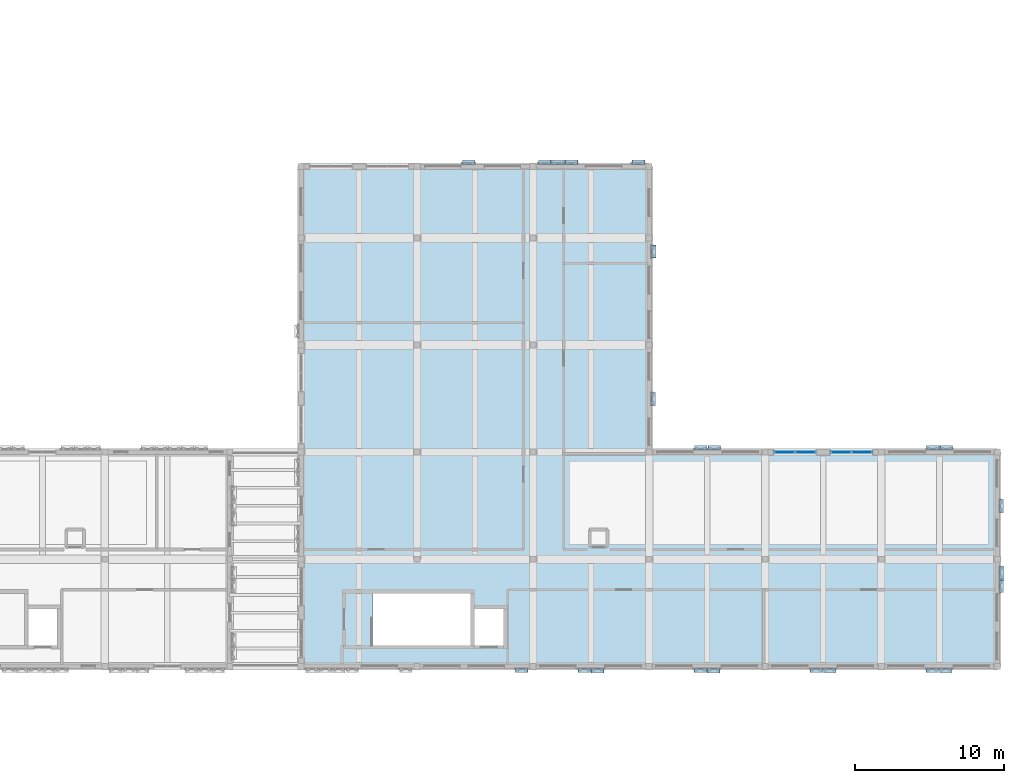
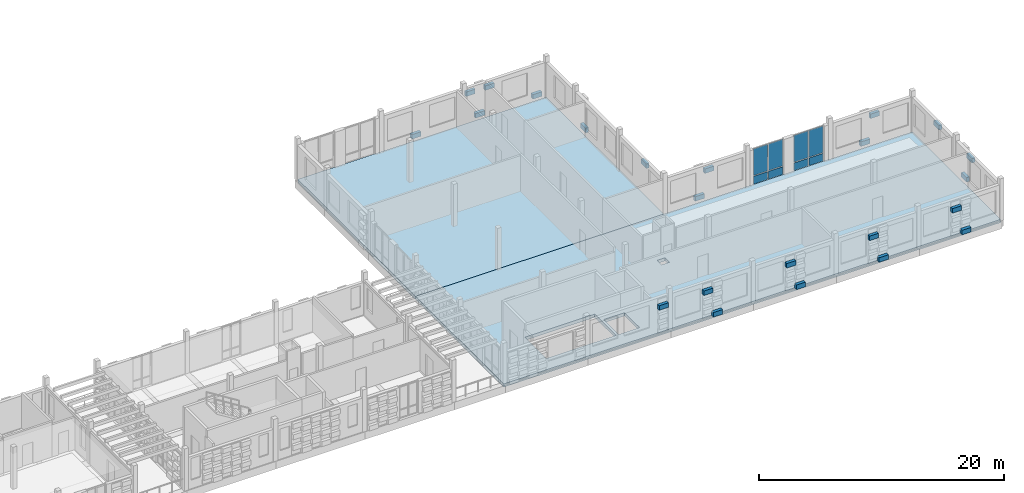
# One storey, part 54 of 99: 31 plates, 2 slabs, 2 elements without a shape of their own.
"""IFC4 building model written with IfcOpenShell, lengths in metres."""

from ifc_helpers import new_model, si_unit, direction, frame, origin, origin_2d, place, context, subcontext, project, spatial, polyline, rectangle, outline, extrude, material, layer, layer_set, type_object, element, aggregate, save


model = new_model("IFC4")

# Units and contexts
model_context = context("Model", 3, precision=1e-05, world=origin(), true_north=direction((0.0, 1.0)))
body_context = subcontext(model_context, "Body", "Model", "MODEL_VIEW")
ifc_project = project(units=[si_unit("LENGTHUNIT", "METRE"), si_unit("AREAUNIT", "SQUARE_METRE"), si_unit("VOLUMEUNIT", "CUBIC_METRE"), si_unit("PLANEANGLEUNIT", "RADIAN"), si_unit("MASSUNIT", "GRAM", prefix="KILO")], contexts=[model_context])

# Site, building, storey
site_placement = place(None, origin())
site = spatial("IfcSite", under=ifc_project, at=site_placement, CompositionType="ELEMENT")
building_placement = place(site_placement, origin())
building = spatial("IfcBuilding", under=site, at=building_placement, Name="Kahlenmark Community Centre", CompositionType="ELEMENT")
storey_placement = place(building_placement, frame((0.0, 0.0, 5.39990234375)))
storey = spatial("IfcBuildingStorey", under=building, at=storey_placement, Name="L01", CompositionType="ELEMENT", Elevation=5.39990234375)

# Curtain wall, plates
ifc_material_1 = material(Name="Anodised aluminium unitised curtain wall", Category="aluminium")
curtain_wall_type = type_object("IfcCurtainWallType", Name="CWT-UNIT-284X359", PredefinedType="USERDEFINED", material=ifc_material_1)
curtain_wall_1_placement = place(storey_placement, origin())
curtain_wall_1 = element("IfcCurtainWall", 1, at=curtain_wall_1_placement, inside=storey, type_object=curtain_wall_type, Name="Unitised curtain wall CW-050", ObjectType="UNITISED CURTAIN WALL", PredefinedType="USERDEFINED")
ifc_material_2 = material(Name="Triple low-e solar-control glass unit", Category="glass")
ifc_layer_1 = layer(ifc_material_2, 0.0439453125)
ifc_layer_set_1 = layer_set([ifc_layer_1], Name="Triple low-e solar-control glass unit")
plate_type_1 = type_object("IfcPlateType", Name="PLT-CW-GLZ-1340X2660", PredefinedType="CURTAIN_PANEL", material=ifc_layer_set_1)
plate_1_placement = place(storey_placement, frame((159.31005859375, 23.199951171875, 0.89013671875), z_axis=(0.0, 0.0, 1.0), x_axis=(-1.0, 0.0, 0.0)))
plate_1 = element("IfcPlate", 2, at=plate_1_placement, type_object=plate_type_1, Name="CW-050 glazed panel 1", PredefinedType="CURTAIN_PANEL", context=body_context, shape_type="SweptSolid", body=[
    extrude(rectangle(XDim=1.340087890625, YDim=0.0439453125, at=origin_2d()), origin(), (0.0, 0.0, 1.0), 2.659912109375),
])
plate_2_placement = place(storey_placement, frame((157.889892578125, 23.199951171875, 0.89013671875), z_axis=(0.0, 0.0, 1.0), x_axis=(-1.0, 0.0, 0.0)))
plate_2 = element("IfcPlate", 3, at=plate_2_placement, type_object=plate_type_1, Name="CW-050 glazed panel 2", PredefinedType="CURTAIN_PANEL", context=body_context, shape_type="SweptSolid", body=[
    extrude(rectangle(XDim=1.340087890625, YDim=0.0439453125, at=origin_2d()), origin(), (0.0, 0.0, 1.0), 2.659912109375),
])

curtain_wall_2_placement = place(storey_placement, origin())
curtain_wall_2 = element("IfcCurtainWall", 4, at=curtain_wall_2_placement, inside=storey, type_object=curtain_wall_type, Name="Unitised curtain wall CW-051", ObjectType="UNITISED CURTAIN WALL", PredefinedType="USERDEFINED")
plate_3_placement = place(storey_placement, frame((155.510009765625, 23.199951171875, 0.89013671875), z_axis=(0.0, 0.0, 1.0), x_axis=(-1.0, 0.0, 0.0)))
plate_3 = element("IfcPlate", 5, at=plate_3_placement, type_object=plate_type_1, Name="CW-051 glazed panel 1", PredefinedType="CURTAIN_PANEL", context=body_context, shape_type="SweptSolid", body=[
    extrude(rectangle(XDim=1.340087890625, YDim=0.0439453125, at=origin_2d()), origin(), (0.0, 0.0, 1.0), 2.659912109375),
])
plate_4_placement = place(storey_placement, frame((154.090087890625, 23.199951171875, 0.89013671875), z_axis=(0.0, 0.0, 1.0), x_axis=(-1.0, 0.0, 0.0)))
plate_4 = element("IfcPlate", 6, at=plate_4_placement, type_object=plate_type_1, Name="CW-051 glazed panel 2", PredefinedType="CURTAIN_PANEL", context=body_context, shape_type="SweptSolid", body=[
    extrude(rectangle(XDim=1.340087890625, YDim=0.0439453125, at=origin_2d()), origin(), (0.0, 0.0, 1.0), 2.659912109375),
])

# Plate
ifc_material_3 = material(Name="Warm terracotta insulated spandrel cassette", Category="masonry")
ifc_layer_2 = layer(ifc_material_3, 0.06005859375)
ifc_layer_set_2 = layer_set([ifc_layer_2], Name="Warm terracotta insulated spandrel cassette")
plate_type_2 = type_object("IfcPlateType", Name="PLT-CW-SPD-1340X770", PredefinedType="CURTAIN_PANEL", material=ifc_layer_set_2)
plate_5_placement = place(storey_placement, frame((159.31005859375, 23.199951171875, 0.0400390625), z_axis=(0.0, 0.0, 1.0), x_axis=(-1.0, 0.0, 0.0)))
plate_5 = element("IfcPlate", 7, at=plate_5_placement, type_object=plate_type_2, Name="CW-050 spandrel 1", PredefinedType="CURTAIN_PANEL", context=body_context, shape_type="SweptSolid", body=[
    extrude(rectangle(XDim=1.340087890625, YDim=0.06005859375, at=origin_2d()), origin(), (0.0, 0.0, 1.0), 0.77001953125),
])

plate_6_placement = place(storey_placement, frame((157.889892578125, 23.199951171875, 0.0400390625), z_axis=(0.0, 0.0, 1.0), x_axis=(-1.0, 0.0, 0.0)))
plate_6 = element("IfcPlate", 8, at=plate_6_placement, type_object=plate_type_2, Name="CW-050 spandrel 2", PredefinedType="CURTAIN_PANEL", context=body_context, shape_type="SweptSolid", body=[
    extrude(rectangle(XDim=1.340087890625, YDim=0.06005859375, at=origin_2d()), origin(), (0.0, 0.0, 1.0), 0.77001953125),
])

aggregate(curtain_wall_1, [plate_5, plate_1, plate_6, plate_2])

plate_7_placement = place(storey_placement, frame((155.510009765625, 23.199951171875, 0.0400390625), z_axis=(0.0, 0.0, 1.0), x_axis=(-1.0, 0.0, 0.0)))
plate_7 = element("IfcPlate", 9, at=plate_7_placement, type_object=plate_type_2, Name="CW-051 spandrel 1", PredefinedType="CURTAIN_PANEL", context=body_context, shape_type="SweptSolid", body=[
    extrude(rectangle(XDim=1.340087890625, YDim=0.06005859375, at=origin_2d()), origin(), (0.0, 0.0, 1.0), 0.77001953125),
])

plate_8_placement = place(storey_placement, frame((154.090087890625, 23.199951171875, 0.0400390625), z_axis=(0.0, 0.0, 1.0), x_axis=(-1.0, 0.0, 0.0)))
plate_8 = element("IfcPlate", 10, at=plate_8_placement, type_object=plate_type_2, Name="CW-051 spandrel 2", PredefinedType="CURTAIN_PANEL", context=body_context, shape_type="SweptSolid", body=[
    extrude(rectangle(XDim=1.340087890625, YDim=0.06005859375, at=origin_2d()), origin(), (0.0, 0.0, 1.0), 0.77001953125),
])

aggregate(curtain_wall_2, [plate_7, plate_3, plate_8, plate_4])

# Plates
ifc_material_4 = material(Name="Extruded glazed terracotta weave cassette", Category="masonry")
ifc_layer_3 = layer(ifc_material_4, 0.300048828125)
ifc_layer_set_3 = layer_set([ifc_layer_3], Name="Extruded glazed terracotta weave cassette")
plate_type_3 = type_object("IfcPlateType", Name="PLT-TC-TC-R34-860X300X450", PredefinedType="SHEET", material=ifc_layer_set_3)
for number, where, z_axis, x_axis, name in (
    (11, (141.530029296875, 8.5, 0.10009765625), (0.0, 0.0, 1.0), (1.0, 0.0, 0.0), "Basketweave terracotta cassette 1585"),
    (12, (149.330078125, 8.5, 0.10009765625), (0.0, 0.0, 1.0), (1.0, 0.0, 0.0), "Basketweave terracotta cassette 1599"),
    (13, (157.1298828125, 8.5, 0.10009765625), (0.0, 0.0, 1.0), (1.0, 0.0, 0.0), "Basketweave terracotta cassette 1613"),
    (14, (164.929931640625, 8.5, 0.10009765625), (0.0, 0.0, 1.0), (1.0, 0.0, 0.0), "Basketweave terracotta cassette 1627"),
    (15, (148.469970703125, 23.5, 0.10009765625), (0.0, 0.0, 1.0), (-1.0, 0.0, 0.0), "Basketweave terracotta cassette 1641"),
    (16, (164.070068359375, 23.5, 0.10009765625), (0.0, 0.0, 1.0), (-1.0, 0.0, 0.0), "Basketweave terracotta cassette 1655"),
    (17, (168.699951171875, 15.080078125, 0.10009765625), (0.0, 0.0, 1.0), (0.0, 1.0, 0.0), "Basketweave terracotta cassette 1693"),
    (18, (132.8701171875, 42.699951171875, 0.10009765625), (0.0, 0.0, 1.0), (-1.0, 0.0, 0.0), "Basketweave terracotta cassette 1707"),
    (19, (144.27001953125, 42.699951171875, 0.10009765625), (0.0, 0.0, 1.0), (-1.0, 0.0, 0.0), "Basketweave terracotta cassette 1714"),
    (20, (138.8701171875, 42.699951171875, 0.10009765625), (0.0, 0.0, 1.0), (-1.0, 0.0, 0.0), "Basketweave terracotta cassette 1728"),
    (21, (145.300048828125, 36.679931640625, 0.10009765625), (0.0, 0.0, 1.0), (0.0, 1.0, 0.0), "Basketweave terracotta cassette 1756"),
):
    element("IfcPlate", number, at=place(storey_placement, frame(where, z_axis=z_axis, x_axis=x_axis)), inside=storey, type_object=plate_type_3, Name=name, PredefinedType="SHEET", context=body_context, shape_type="SweptSolid", body=[
        extrude(rectangle(XDim=0.860107421875, YDim=0.300048828125, at=origin_2d()), origin(), (0.0, 0.0, 1.0), 0.449951171875),
    ])
ifc_layer_4 = layer(ifc_material_4, 0.280029296875)
ifc_layer_set_4 = layer_set([ifc_layer_4], Name="Extruded glazed terracotta weave cassette")
plate_type_4 = type_object("IfcPlateType", Name="PLT-TC-TC-W30-860X280X450", PredefinedType="SHEET", material=ifc_layer_set_4)
for number, where, z_axis, x_axis, name in (
    (22, (136.429931640625, 8.510009765625, 2.55029296875), (0.0, 0.0, 1.0), (1.0, 0.0, 0.0), "Basketweave terracotta cassette 1576"),
    (23, (140.6298828125, 8.510009765625, 2.55029296875), (0.0, 0.0, 1.0), (1.0, 0.0, 0.0), "Basketweave terracotta cassette 1583"),
    (24, (148.429931640625, 8.510009765625, 2.55029296875), (0.0, 0.0, 1.0), (1.0, 0.0, 0.0), "Basketweave terracotta cassette 1597"),
    (25, (156.22998046875, 8.510009765625, 2.55029296875), (0.0, 0.0, 1.0), (1.0, 0.0, 0.0), "Basketweave terracotta cassette 1611"),
    (26, (164.030029296875, 8.510009765625, 2.55029296875), (0.0, 0.0, 1.0), (1.0, 0.0, 0.0), "Basketweave terracotta cassette 1625"),
    (27, (149.3701171875, 23.489990234375, 2.55029296875), (0.0, 0.0, 1.0), (-1.0, 0.0, 0.0), "Basketweave terracotta cassette 1639"),
    (28, (164.969970703125, 23.489990234375, 2.55029296875), (0.0, 0.0, 1.0), (-1.0, 0.0, 0.0), "Basketweave terracotta cassette 1653"),
    (29, (168.68994140625, 14.179931640625, 2.55029296875), (0.0, 0.0, 1.0), (0.0, 1.0, 0.0), "Basketweave terracotta cassette 1691"),
    (30, (168.68994140625, 19.580078125, 2.55029296875), (0.0, 0.0, 1.0), (0.0, 1.0, 0.0), "Basketweave terracotta cassette 1705"),
    (31, (139.77001953125, 42.68994140625, 2.55029296875), (0.0, 0.0, 1.0), (-1.0, 0.0, 0.0), "Basketweave terracotta cassette 1726"),
    (32, (137.969970703125, 42.68994140625, 2.55029296875), (0.0, 0.0, 1.0), (-1.0, 0.0, 0.0), "Basketweave terracotta cassette 1740"),
    (33, (145.2900390625, 26.780029296875, 2.55029296875), (0.0, 0.0, 1.0), (0.0, 1.0, 0.0), "Basketweave terracotta cassette 1754"),
):
    element("IfcPlate", number, at=place(storey_placement, frame(where, z_axis=z_axis, x_axis=x_axis)), inside=storey, type_object=plate_type_4, Name=name, PredefinedType="SHEET", context=body_context, shape_type="SweptSolid", body=[
        extrude(rectangle(XDim=0.860107421875, YDim=0.280029296875, at=origin_2d()), origin(), (0.0, 0.0, 1.0), 0.449951171875),
    ])

# Slabs
ifc_material_5 = material(Name="Concrete C35/45", Category="concrete")
ifc_layer_5 = layer(ifc_material_5, 0.320068359375)
ifc_layer_set_5 = layer_set([ifc_layer_5], Name="Concrete C35/45")
slab_type = type_object("IfcSlabType", Name="ST-FL-RC320", PredefinedType="FLOOR", material=ifc_layer_set_5)
slab_1_placement = place(storey_placement, frame((0.0, 0.0, -0.31982421875)))
element("IfcSlab", 34, at=slab_1_placement, inside=storey, type_object=slab_type, Name="L01 suspended floor slab V4E", PredefinedType="FLOOR", context=body_context, shape_type="SweptSolid", body=[
    extrude(outline(polyline([(121.60009765625, 8.800048828125), (168.39990234375, 8.800048828125), (168.39990234375, 23.199951171875), (121.60009765625, 23.199951171875), (121.60009765625, 8.800048828125)]), holes=[polyline([(126.406005859375, 10.2060546875), (132.993896484375, 10.2060546875), (132.993896484375, 13.694091796875), (126.406005859375, 13.694091796875), (126.406005859375, 10.2060546875)]), polyline([(133.256103515625, 10.2060546875), (135.2041015625, 10.2060546875), (135.2041015625, 12.654052734375), (133.256103515625, 12.654052734375), (133.256103515625, 10.2060546875)]), polyline([(141.22607421875, 17.02587890625), (141.97412109375, 17.02587890625), (141.97412109375, 17.77392578125), (141.22607421875, 17.77392578125), (141.22607421875, 17.02587890625)])]), origin(), (0.0, 0.0, 1.0), 0.31982421875),
])
slab_2_placement = place(storey_placement, frame((0.0, 0.0, -0.31982421875)))
element("IfcSlab", 35, at=slab_2_placement, inside=storey, type_object=slab_type, Name="L01 suspended floor slab V4EN", PredefinedType="FLOOR", context=body_context, shape_type="SweptSolid", body=[
    extrude(outline(polyline([(121.60009765625, 23.199951171875), (145.0, 23.199951171875), (145.0, 42.39990234375), (121.60009765625, 42.39990234375), (121.60009765625, 23.199951171875)])), origin(), (0.0, 0.0, 1.0), 0.31982421875),
])

save(model, "model.ifc")
